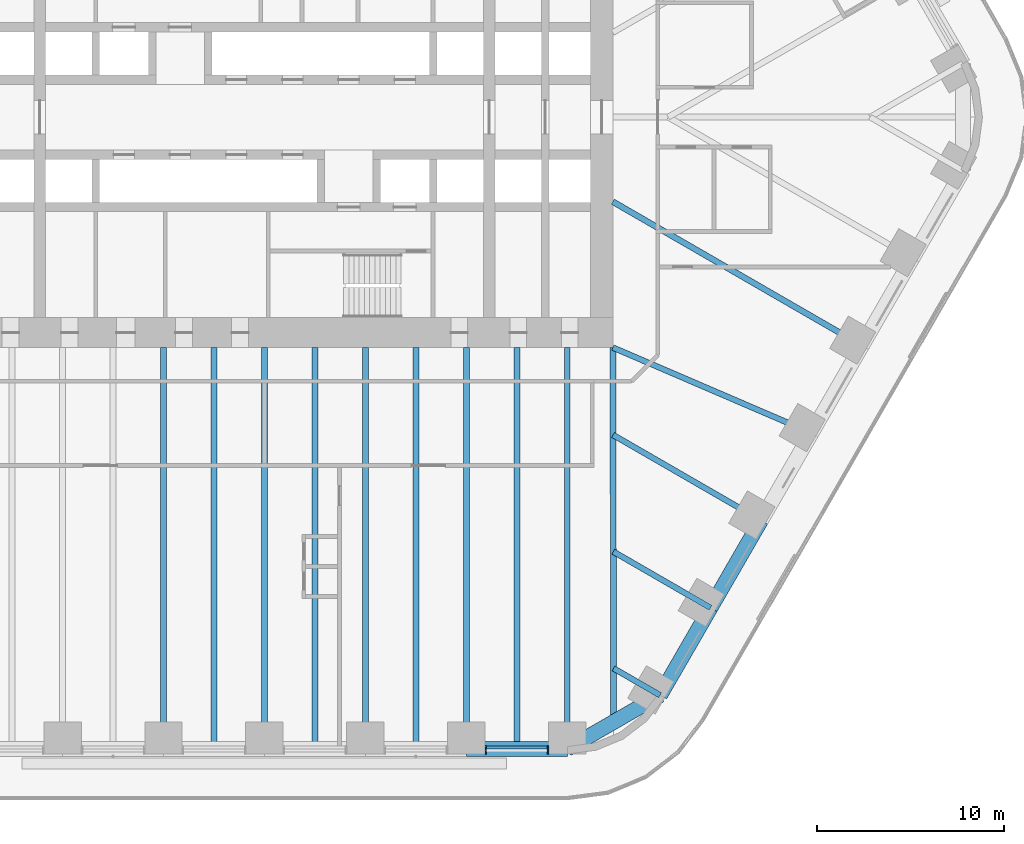
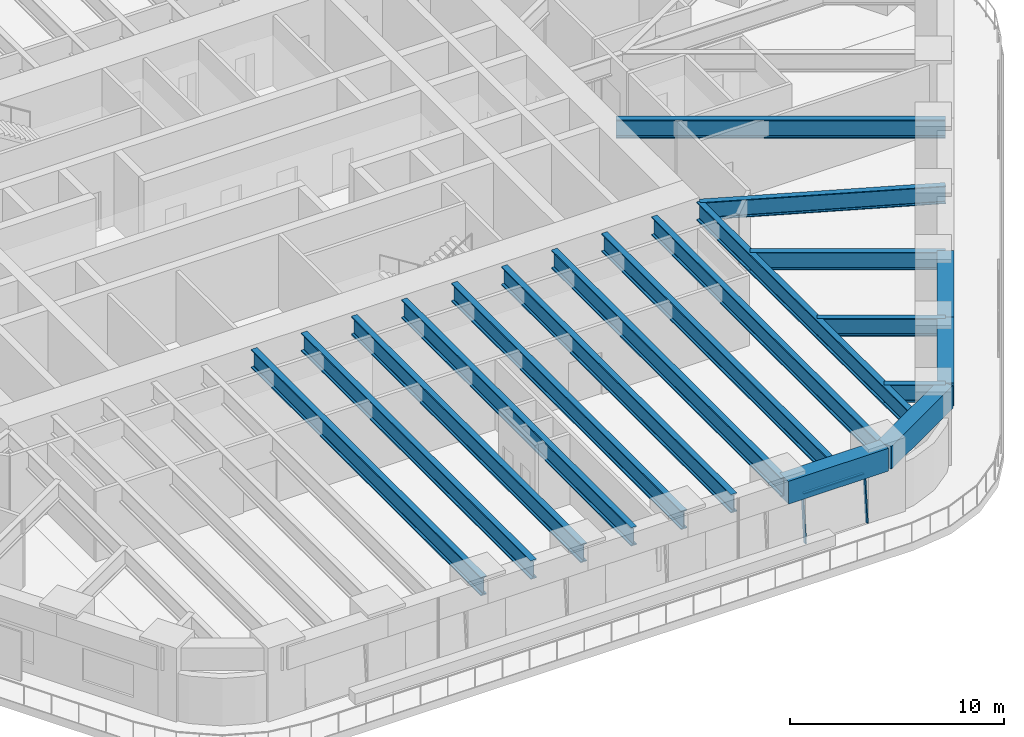
# One storey, part 5 of 24: 19 beams, 3 members, 1 element without a shape of its own.
"""IFC4 building model written with IfcOpenShell, lengths in metres."""

from ifc_helpers import new_model, si_unit, direction, frame, origin, origin_2d, place, context, subcontext, project, spatial, rectangle, i_section, extrude, material, material_profile, profile_set, type_object, element, aggregate, save


model = new_model("IFC4")

# Units and contexts
model_context = context("Model", 3, precision=1e-05, world=origin(), true_north=direction((0.0, 1.0)))
body_context = subcontext(model_context, "Body", "Model", "MODEL_VIEW")
ifc_project = project(units=[si_unit("LENGTHUNIT", "METRE"), si_unit("AREAUNIT", "SQUARE_METRE"), si_unit("VOLUMEUNIT", "CUBIC_METRE"), si_unit("PLANEANGLEUNIT", "RADIAN"), si_unit("MASSUNIT", "GRAM", prefix="KILO")], contexts=[model_context])

# Site, building, storey
site_placement = place(None, origin())
site = spatial("IfcSite", under=ifc_project, at=site_placement, CompositionType="ELEMENT")
building_placement = place(site_placement, origin())
building = spatial("IfcBuilding", under=site, at=building_placement, Name="Tarfa Lantern Tower", CompositionType="ELEMENT")
storey_placement = place(building_placement, frame((0.0, 0.0, 69.699951171875)))
storey = spatial("IfcBuildingStorey", under=building, at=storey_placement, Name="L15", CompositionType="ELEMENT", Elevation=69.699951171875)

# Curtain wall, members
ifc_material_1 = material(Name="Aluminium framed curtain wall", Category="aluminium")
curtain_wall_type = type_object("IfcCurtainWallType", Name="CW1 CANTED GLAZING LOW ZONE 2700", PredefinedType="USERDEFINED", material=ifc_material_1)
curtain_wall_placement = place(storey_placement, origin())
curtain_wall = element("IfcCurtainWall", 1, at=curtain_wall_placement, inside=storey, type_object=curtain_wall_type, Name="CW1 S L15", ObjectType="CURTAIN WALL", PredefinedType="USERDEFINED")
ifc_material_2 = material(Name="Aluminium mullion", Category="aluminium")
ifc_material_profile_1 = material_profile(ifc_material_2, rectangle(XDim=0.06494140625, YDim=0.199951171875, at=origin_2d()), Name="AL MULLION 65x200")
ifc_profile_set_1 = profile_set([ifc_material_profile_1], Name="Aluminium mullion")
member_type_1 = type_object("IfcMemberType", Name="CWM1 MULLION 65x200", PredefinedType="MULLION", material=ifc_profile_set_1)
member_1_placement = place(storey_placement, frame((11.809814453125, -33.89990234375, 0.0), z_axis=(0.0, 0.092199863775, 0.995740520979), x_axis=(-1.0, 0.0, 0.0)))
member_1 = element("IfcMember", 2, at=member_1_placement, type_object=member_type_1, Name="CW1 mullion 1", PredefinedType="MULLION", context=body_context, shape_type="SweptSolid", body=[
    extrude(rectangle(XDim=0.06494140625, YDim=0.199951171875, at=origin_2d()), origin(), (0.0, 0.0, 1.0), 2.71142578125),
])
member_2_placement = place(storey_placement, frame((15.13330078125, -33.89990234375, 0.0), z_axis=(0.0, 0.092199863775, 0.995740520979), x_axis=(-1.0, 0.0, 0.0)))
member_2 = element("IfcMember", 3, at=member_2_placement, type_object=member_type_1, Name="CW1 mullion 2", PredefinedType="MULLION", context=body_context, shape_type="SweptSolid", body=[
    extrude(rectangle(XDim=0.06494140625, YDim=0.199951171875, at=origin_2d()), origin(), (0.0, 0.0, 1.0), 2.71142578125),
])
ifc_material_3 = material(Name="Aluminium transom", Category="aluminium")
ifc_material_profile_2 = material_profile(ifc_material_3, rectangle(XDim=0.14990234375, YDim=0.06494140625, at=origin_2d()), Name="AL TRANSOM 150x65")
ifc_profile_set_2 = profile_set([ifc_material_profile_2], Name="Aluminium transom")
member_type_2 = type_object("IfcMemberType", Name="CWT1 TRANSOM 150x65", PredefinedType="USERDEFINED", material=ifc_profile_set_2)
member_3_placement = place(storey_placement, frame((11.84228515625, -33.653076171875, 2.66748046875), z_axis=(1.0, 0.0, 0.0), x_axis=(0.0, 1.0, 0.0)))
member_3 = element("IfcMember", 4, at=member_3_placement, type_object=member_type_2, Name="CW1 transom 1.2", ObjectType="TRANSOM", PredefinedType="USERDEFINED", context=body_context, shape_type="SweptSolid", body=[
    extrude(rectangle(XDim=0.14990234375, YDim=0.06494140625, at=origin_2d()), origin(), (0.0, 0.0, 1.0), 3.258544921875),
])
aggregate(curtain_wall, [member_1, member_2, member_3])

# Beams
ifc_material_4 = material(Name="Concrete C80/95", Category="concrete")
ifc_material_profile_3 = material_profile(ifc_material_4, rectangle(XDim=0.800048828125, YDim=1.300048828125, at=origin_2d()), Name="RC 800x1300")
ifc_profile_set_3 = profile_set([ifc_material_profile_3], Name="Concrete C80/95")
beam_type_1 = type_object("IfcBeamType", Name="EB1 RC 800x1300", PredefinedType="SPANDREL", material=ifc_profile_set_3)
beam_1_placement = place(storey_placement, frame((10.777099609375, -33.719970703125, 3.35009765625), z_axis=(1.0, 0.0, 0.0), x_axis=(0.0, 1.0, 0.0)))
element("IfcBeam", 5, at=beam_1_placement, inside=storey, type_object=beam_type_1, Name="Edge beam S5", PredefinedType="SPANDREL", context=body_context, shape_type="SweptSolid", body=[
    extrude(rectangle(XDim=0.800048828125, YDim=1.300048828125, at=origin_2d()), origin(), (0.0, 0.0, 1.0), 5.388671875),
])
beam_2_placement = place(storey_placement, frame((16.165771484375, -33.719970703125, 3.35009765625), z_axis=(0.866033479681, 0.499986011877, 0.0), x_axis=(-0.499986011877, 0.866033479681, 0.0)))
element("IfcBeam", 6, at=beam_2_placement, inside=storey, type_object=beam_type_1, Name="Edge beam S6", PredefinedType="SPANDREL", context=body_context, shape_type="SweptSolid", body=[
    extrude(rectangle(XDim=0.800048828125, YDim=1.300048828125, at=origin_2d()), origin(), (0.0, 0.0, 1.0), 5.719970703125),
])
for number, where, z_axis, x_axis, name in (
    (7, (21.119384765625, -30.860107421875, 3.35009765625), (0.499998287579, 0.866026392449, 0.0), (-0.866026392449, 0.499998287579, 0.0), "Edge beam SE0"),
    (8, (23.813720703125, -26.193359375, 3.35009765625), (0.499998287579, 0.866026392449, 0.0), (-0.866026392449, 0.499998287579, 0.0), "Edge beam SE1"),
):
    element("IfcBeam", number, at=place(storey_placement, frame(where, z_axis=z_axis, x_axis=x_axis)), inside=storey, type_object=beam_type_1, Name=name, PredefinedType="SPANDREL", context=body_context, shape_type="SweptSolid", body=[
        extrude(rectangle(XDim=0.800048828125, YDim=1.300048828125, at=origin_2d()), origin(), (0.0, 0.0, 1.0), 5.388671875),
    ])
ifc_material_5 = material(Name="Steel S460M", Category="steel")
ifc_material_profile_4 = material_profile(ifc_material_5, i_section(OverallWidth=0.302001953125, OverallDepth=1.008056640625, WebThickness=0.02099609375, FlangeThickness=0.0400390625, FilletRadius=0.030029296875, at=origin_2d()), Name="UB1016x305x349")
ifc_profile_set_4 = profile_set([ifc_material_profile_4], Name="Steel S460M")
beam_type_2 = type_object("IfcBeamType", Name="UB1016x305x349", PredefinedType="BEAM", material=ifc_profile_set_4)
beam_3_placement = place(storey_placement, frame((21.119384765625, -30.860107421875, 3.49609375), z_axis=(-0.866012580594, 0.500022209759, 0.0), x_axis=(-0.500022209759, -0.866012580594, 0.0)))
element("IfcBeam", 9, at=beam_3_placement, inside=storey, type_object=beam_type_2, Name="Floor beam SE0", PredefinedType="BEAM", context=body_context, shape_type="SweptSolid", body=[
    extrude(i_section(OverallWidth=0.302001953125, OverallDepth=1.008056640625, WebThickness=0.02099609375, FlangeThickness=0.0400390625, FilletRadius=0.030029296875, at=origin_2d()), origin(), (0.0, 0.0, 1.0), 2.866943359375),
])
beam_4_placement = place(storey_placement, frame((23.813720703125, -26.193359375, 3.49609375), z_axis=(-0.866015997389, 0.500016292001, 0.0), x_axis=(-0.500016292001, -0.866015997389, 0.0)))
element("IfcBeam", 10, at=beam_4_placement, inside=storey, type_object=beam_type_2, Name="Floor beam SE1", PredefinedType="BEAM", context=body_context, shape_type="SweptSolid", body=[
    extrude(i_section(OverallWidth=0.302001953125, OverallDepth=1.008056640625, WebThickness=0.02099609375, FlangeThickness=0.0400390625, FilletRadius=0.030029296875, at=origin_2d()), origin(), (0.0, 0.0, 1.0), 5.993408203125),
])
beam_5_placement = place(storey_placement, frame((26.508056640625, -21.526611328125, 3.49609375), z_axis=(-0.866035355799, 0.49998276221, 0.0), x_axis=(-0.49998276221, -0.866035355799, 0.0)))
element("IfcBeam", 11, at=beam_5_placement, inside=storey, type_object=beam_type_2, Name="Floor beam SE2", PredefinedType="BEAM", context=body_context, shape_type="SweptSolid", body=[
    extrude(i_section(OverallWidth=0.302001953125, OverallDepth=1.008056640625, WebThickness=0.02099609375, FlangeThickness=0.0400390625, FilletRadius=0.030029296875, at=origin_2d()), origin(), (0.0, 0.0, 1.0), 9.119873046875),
])
beam_6_placement = place(storey_placement, frame((29.202392578125, -16.860107421875, 3.49609375), z_axis=(-0.918635483867, 0.395106122175, 0.0), x_axis=(-0.395106122175, -0.918635483867, 0.0)))
element("IfcBeam", 12, at=beam_6_placement, inside=storey, type_object=beam_type_2, Name="Floor beam SE3", PredefinedType="BEAM", context=body_context, shape_type="SweptSolid", body=[
    extrude(i_section(OverallWidth=0.302001953125, OverallDepth=1.008056640625, WebThickness=0.02099609375, FlangeThickness=0.0400390625, FilletRadius=0.030029296875, at=origin_2d()), origin(), (0.0, 0.0, 1.0), 11.541259765625),
])
ifc_material_profile_5 = material_profile(ifc_material_5, i_section(OverallWidth=0.314208984375, OverallDepth=1.055908203125, WebThickness=0.035888671875, FlangeThickness=0.06396484375, FilletRadius=0.030029296875, at=origin_2d()), Name="UB1016x305x584")
ifc_profile_set_5 = profile_set([ifc_material_profile_5], Name="Steel S460M")
beam_type_3 = type_object("IfcBeamType", Name="UB1016x305x584", PredefinedType="BEAM", material=ifc_profile_set_5)
beam_7_placement = place(storey_placement, frame((18.60009765625, -12.300048828125, 3.47216796875), z_axis=(0.00212508222, -0.99999774201, 0.0), x_axis=(0.99999774201, 0.00212508222, 0.0)))
element("IfcBeam", 13, at=beam_7_placement, inside=storey, type_object=beam_type_3, Name="Hip girder SE", PredefinedType="BEAM", context=body_context, shape_type="SweptSolid", body=[
    extrude(i_section(OverallWidth=0.314208984375, OverallDepth=1.055908203125, WebThickness=0.035888671875, FlangeThickness=0.06396484375, FilletRadius=0.030029296875, at=origin_2d()), origin(), (0.0, 0.0, 1.0), 19.989990234375),
])
for number, where, z_axis, x_axis, name in (
    (14, (-5.388671875, -33.719970703125, 3.47216796875), (0.0, 1.0, 0.0), (-1.0, 0.0, 0.0), "Floor beam S2"),
    (15, (0.0, -33.719970703125, 3.47216796875), (0.0, 1.0, 0.0), (-1.0, 0.0, 0.0), "Floor beam S3"),
    (16, (5.388671875, -33.719970703125, 3.47216796875), (0.0, 1.0, 0.0), (-1.0, 0.0, 0.0), "Floor beam S4"),
    (17, (10.777099609375, -33.719970703125, 3.47216796875), (0.0, 1.0, 0.0), (-1.0, 0.0, 0.0), "Floor beam S5"),
    (18, (16.165771484375, -33.719970703125, 3.47216796875), (0.0, 1.0, 0.0), (-1.0, 0.0, 0.0), "Floor beam S6"),
):
    element("IfcBeam", number, at=place(storey_placement, frame(where, z_axis=z_axis, x_axis=x_axis)), inside=storey, type_object=beam_type_3, Name=name, PredefinedType="BEAM", context=body_context, shape_type="SweptSolid", body=[
        extrude(i_section(OverallWidth=0.314208984375, OverallDepth=1.055908203125, WebThickness=0.035888671875, FlangeThickness=0.06396484375, FilletRadius=0.030029296875, at=origin_2d()), origin(), (0.0, 0.0, 1.0), 21.419921875),
    ])
beam_8_placement = place(storey_placement, frame((31.896728515625, -12.193359375, 3.47216796875), z_axis=(-0.866026971665, 0.499997284341, 0.0), x_axis=(-0.499997284341, -0.866026971665, 0.0)))
element("IfcBeam", 19, at=beam_8_placement, inside=storey, type_object=beam_type_3, Name="Floor beam SE4", PredefinedType="BEAM", context=body_context, shape_type="SweptSolid", body=[
    extrude(i_section(OverallWidth=0.314208984375, OverallDepth=1.055908203125, WebThickness=0.035888671875, FlangeThickness=0.06396484375, FilletRadius=0.030029296875, at=origin_2d()), origin(), (0.0, 0.0, 1.0), 15.353515625),
])
for number, where, z_axis, x_axis, name in (
    (20, (-2.6943359375, -33.719970703125, 3.47216796875), (0.0, 1.0, 0.0), (-1.0, 0.0, 0.0), "Floor beam S2M"),
    (21, (2.6943359375, -33.719970703125, 3.47216796875), (0.0, 1.0, 0.0), (-1.0, 0.0, 0.0), "Floor beam S3M"),
    (22, (8.0830078125, -33.719970703125, 3.47216796875), (0.0, 1.0, 0.0), (-1.0, 0.0, 0.0), "Floor beam S4M"),
    (23, (13.471435546875, -33.719970703125, 3.47216796875), (0.0, 1.0, 0.0), (-1.0, 0.0, 0.0), "Floor beam S5M"),
):
    element("IfcBeam", number, at=place(storey_placement, frame(where, z_axis=z_axis, x_axis=x_axis)), inside=storey, type_object=beam_type_3, Name=name, PredefinedType="BEAM", context=body_context, shape_type="SweptSolid", body=[
        extrude(i_section(OverallWidth=0.314208984375, OverallDepth=1.055908203125, WebThickness=0.035888671875, FlangeThickness=0.06396484375, FilletRadius=0.030029296875, at=origin_2d()), origin(), (0.0, 0.0, 1.0), 21.419921875),
    ])

save(model, "model.ifc")
